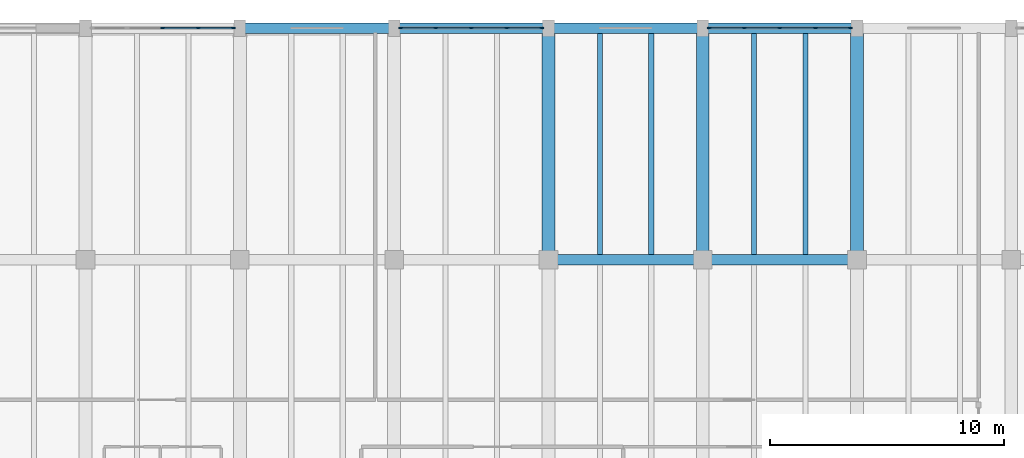
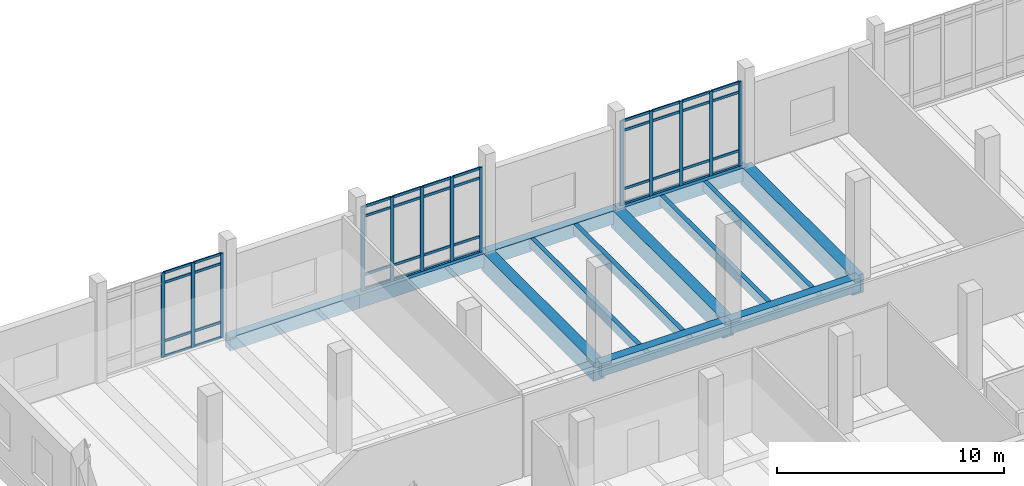
# One storey, part 30 of 72: 53 members, 13 beams, 3 elements without a shape of their own.
"""IFC4 building model written with IfcOpenShell, lengths in metres."""

from ifc_helpers import new_model, si_unit, direction, frame, origin, origin_2d, place, context, subcontext, project, spatial, rectangle, extrude, material, material_profile, profile_set, type_object, element, aggregate, save


model = new_model("IFC4")

# Units and contexts
model_context = context("Model", 3, precision=1e-05, world=origin(), true_north=direction((0.0, 1.0)))
body_context = subcontext(model_context, "Body", "Model", "MODEL_VIEW")
ifc_project = project(units=[si_unit("LENGTHUNIT", "METRE"), si_unit("AREAUNIT", "SQUARE_METRE"), si_unit("VOLUMEUNIT", "CUBIC_METRE"), si_unit("PLANEANGLEUNIT", "RADIAN"), si_unit("MASSUNIT", "GRAM", prefix="KILO")], contexts=[model_context])

# Site, building, storey
site_placement = place(None, origin())
site = spatial("IfcSite", under=ifc_project, at=site_placement, CompositionType="ELEMENT")
building_placement = place(site_placement, origin())
building = spatial("IfcBuilding", under=site, at=building_placement, Name="Dornvale Research Institute", CompositionType="ELEMENT")
storey_placement = place(building_placement, origin())
storey = spatial("IfcBuildingStorey", under=building, at=storey_placement, Name="L00", CompositionType="ELEMENT", Elevation=0.0)

# Beams
ifc_material_1 = material(Name="Concrete f'c 45 MPa (C35/45)", Category="concrete")
ifc_material_profile_1 = material_profile(ifc_material_1, rectangle(XDim=0.449951171875, YDim=0.715087890625, at=origin_2d()), Name="RC 450x715")
ifc_profile_set_1 = profile_set([ifc_material_profile_1], Name="Concrete f'c 45 MPa (C35/45)")
beam_type_1 = type_object("IfcBeamType", Name="Beam_RC450x715_Lab", PredefinedType="BEAM", material=ifc_profile_set_1)
beam_1_placement = place(storey_placement, frame((145.199951171875, 112.199951171875, -0.357421875), z_axis=(1.0, 0.0, 0.0), x_axis=(0.0, 1.0, 0.0)))
element("IfcBeam", 1, at=beam_1_placement, inside=storey, type_object=beam_type_1, Name="L00 primary girder #90", PredefinedType="BEAM", context=body_context, shape_type="SweptSolid", body=[
    extrude(rectangle(XDim=0.449951171875, YDim=0.715087890625, at=origin_2d()), origin(), (0.0, 0.0, 1.0), 6.60009765625),
])
beam_2_placement = place(storey_placement, frame((151.800048828125, 112.199951171875, -0.357421875), z_axis=(1.0, 0.0, 0.0), x_axis=(0.0, 1.0, 0.0)))
element("IfcBeam", 2, at=beam_2_placement, inside=storey, type_object=beam_type_1, Name="L00 primary girder #91", PredefinedType="BEAM", context=body_context, shape_type="SweptSolid", body=[
    extrude(rectangle(XDim=0.449951171875, YDim=0.715087890625, at=origin_2d()), origin(), (0.0, 0.0, 1.0), 6.599853515625),
])
beam_3_placement = place(storey_placement, frame((132.0, 122.10009765625, -0.357421875), z_axis=(1.0, 0.0, 0.0), x_axis=(0.0, 1.0, 0.0)))
element("IfcBeam", 3, at=beam_3_placement, inside=storey, type_object=beam_type_1, Name="L00 primary girder #97", PredefinedType="BEAM", context=body_context, shape_type="SweptSolid", body=[
    extrude(rectangle(XDim=0.449951171875, YDim=0.715087890625, at=origin_2d()), origin(), (0.0, 0.0, 1.0), 6.60009765625),
])
beam_4_placement = place(storey_placement, frame((138.60009765625, 122.10009765625, -0.357421875), z_axis=(1.0, 0.0, 0.0), x_axis=(0.0, 1.0, 0.0)))
element("IfcBeam", 4, at=beam_4_placement, inside=storey, type_object=beam_type_1, Name="L00 primary girder #98", PredefinedType="BEAM", context=body_context, shape_type="SweptSolid", body=[
    extrude(rectangle(XDim=0.449951171875, YDim=0.715087890625, at=origin_2d()), origin(), (0.0, 0.0, 1.0), 6.599853515625),
])
beam_5_placement = place(storey_placement, frame((145.199951171875, 122.10009765625, -0.357421875), z_axis=(1.0, 0.0, 0.0), x_axis=(0.0, 1.0, 0.0)))
element("IfcBeam", 5, at=beam_5_placement, inside=storey, type_object=beam_type_1, Name="L00 primary girder #99", PredefinedType="BEAM", context=body_context, shape_type="SweptSolid", body=[
    extrude(rectangle(XDim=0.449951171875, YDim=0.715087890625, at=origin_2d()), origin(), (0.0, 0.0, 1.0), 6.60009765625),
])
beam_6_placement = place(storey_placement, frame((151.800048828125, 122.10009765625, -0.357421875), z_axis=(1.0, 0.0, 0.0), x_axis=(0.0, 1.0, 0.0)))
element("IfcBeam", 6, at=beam_6_placement, inside=storey, type_object=beam_type_1, Name="L00 primary girder #100", PredefinedType="BEAM", context=body_context, shape_type="SweptSolid", body=[
    extrude(rectangle(XDim=0.449951171875, YDim=0.715087890625, at=origin_2d()), origin(), (0.0, 0.0, 1.0), 6.599853515625),
])
ifc_material_2 = material(Name="Concrete f'c 45 MPa (C35/45)", Category="concrete")
ifc_material_profile_2 = material_profile(ifc_material_2, rectangle(XDim=0.550048828125, YDim=1.0, at=origin_2d()), Name="RC 550x1000")
ifc_profile_set_2 = profile_set([ifc_material_profile_2], Name="Concrete f'c 45 MPa (C35/45)")
beam_type_2 = type_object("IfcBeamType", Name="Beam_RC550x1000_Girder", PredefinedType="BEAM", material=ifc_profile_set_2)
for number, where, z_axis, x_axis, name in (
    (7, (145.199951171875, 112.199951171875, -0.5), (0.0, 1.0, 0.0), (-1.0, 0.0, 0.0), "L00 transverse girder #117"),
    (8, (151.800048828125, 112.199951171875, -0.5), (0.0, 1.0, 0.0), (-1.0, 0.0, 0.0), "L00 transverse girder #120"),
    (9, (158.39990234375, 112.199951171875, -0.5), (0.0, 1.0, 0.0), (-1.0, 0.0, 0.0), "L00 transverse girder #122"),
):
    element("IfcBeam", number, at=place(storey_placement, frame(where, z_axis=z_axis, x_axis=x_axis)), inside=storey, type_object=beam_type_2, Name=name, PredefinedType="BEAM", context=body_context, shape_type="SweptSolid", body=[
        extrude(rectangle(XDim=0.550048828125, YDim=1.0, at=origin_2d()), origin(), (0.0, 0.0, 1.0), 9.900146484375),
    ])
ifc_material_3 = material(Name="Concrete f'c 45 MPa (C35/45)", Category="concrete")
ifc_material_profile_3 = material_profile(ifc_material_3, rectangle(XDim=0.219970703125, YDim=0.534912109375, at=origin_2d()), Name="RC 220x535")
ifc_profile_set_3 = profile_set([ifc_material_profile_3], Name="Concrete f'c 45 MPa (C35/45)")
beam_type_3 = type_object("IfcBeamType", Name="Joist_RC220x535_Waffle", PredefinedType="JOIST", material=ifc_profile_set_3)
for number, where, z_axis, x_axis, name in (
    (10, (147.39990234375, 112.425048828125, -0.267578125), (0.0, 1.0, 0.0), (-1.0, 0.0, 0.0), "L00 laboratory waffle joist #60"),
    (11, (149.60009765625, 112.425048828125, -0.267578125), (0.0, 1.0, 0.0), (-1.0, 0.0, 0.0), "L00 laboratory waffle joist #61"),
    (12, (154.0, 112.425048828125, -0.267578125), (0.0, 1.0, 0.0), (-1.0, 0.0, 0.0), "L00 laboratory waffle joist #64"),
    (13, (156.199951171875, 112.425048828125, -0.267578125), (0.0, 1.0, 0.0), (-1.0, 0.0, 0.0), "L00 laboratory waffle joist #65"),
):
    element("IfcBeam", number, at=place(storey_placement, frame(where, z_axis=z_axis, x_axis=x_axis)), inside=storey, type_object=beam_type_3, Name=name, PredefinedType="JOIST", context=body_context, shape_type="SweptSolid", body=[
        extrude(rectangle(XDim=0.219970703125, YDim=0.534912109375, at=origin_2d()), origin(), (0.0, 0.0, 1.0), 9.449951171875),
    ])

# Curtain wall, members
ifc_material_4 = material(Name="Low-E Argon Double Insulating Glazing Unit", Category="glass")
curtain_wall_type = type_object("IfcCurtainWallType", Name="UnitisedCurtainWall_V4_6100x4550", PredefinedType="USERDEFINED", material=ifc_material_4)
curtain_wall_1_placement = place(storey_placement, origin())
curtain_wall_1 = element("IfcCurtainWall", 14, at=curtain_wall_1_placement, inside=storey, type_object=curtain_wall_type, Name="L00 V4 unitised curtain wall CW-08 #66", ObjectType="UNITISED CURTAIN WALL", PredefinedType="USERDEFINED")
ifc_material_5 = material(Name="Anodized Aluminum AA 6063-T6 Thermally Broken Frame", Category="aluminium")
ifc_material_profile_4 = material_profile(ifc_material_5, rectangle(XDim=0.06494140625, YDim=0.179931640625, at=origin_2d()), Name="ALU MULLION 65x180")
ifc_profile_set_4 = profile_set([ifc_material_profile_4], Name="Anodized Aluminum AA 6063-T6 Thermally Broken Frame")
member_type_1 = type_object("IfcMemberType", Name="Mullion_CW_65x180", PredefinedType="MULLION", material=ifc_profile_set_4)
member_1_placement = place(storey_placement, frame((128.699951171875, 122.10009765625, 0.0), z_axis=(0.0, 0.0, 1.0), x_axis=(0.0, 1.0, 0.0)))
member_1 = element("IfcMember", 15, at=member_1_placement, type_object=member_type_1, Name="CW-08 mullion 3", PredefinedType="MULLION", context=body_context, shape_type="SweptSolid", body=[
    extrude(rectangle(XDim=0.06494140625, YDim=0.179931640625, at=origin_2d()), origin(), (0.0, 0.0, 1.0), 4.550048828125),
])
member_2_placement = place(storey_placement, frame((130.22509765625, 122.10009765625, 0.0), z_axis=(0.0, 0.0, 1.0), x_axis=(0.0, 1.0, 0.0)))
member_2 = element("IfcMember", 16, at=member_2_placement, type_object=member_type_1, Name="CW-08 mullion 4", PredefinedType="MULLION", context=body_context, shape_type="SweptSolid", body=[
    extrude(rectangle(XDim=0.06494140625, YDim=0.179931640625, at=origin_2d()), origin(), (0.0, 0.0, 1.0), 4.550048828125),
])
member_3_placement = place(storey_placement, frame((131.717529296875, 122.10009765625, 0.0), z_axis=(0.0, 0.0, 1.0), x_axis=(0.0, 1.0, 0.0)))
member_3 = element("IfcMember", 17, at=member_3_placement, type_object=member_type_1, Name="CW-08 mullion 5", PredefinedType="MULLION", context=body_context, shape_type="SweptSolid", body=[
    extrude(rectangle(XDim=0.06494140625, YDim=0.179931640625, at=origin_2d()), origin(), (0.0, 0.0, 1.0), 4.550048828125),
])

curtain_wall_2_placement = place(storey_placement, origin())
curtain_wall_2 = element("IfcCurtainWall", 18, at=curtain_wall_2_placement, inside=storey, type_object=curtain_wall_type, Name="L00 V4 unitised curtain wall CW-08 #67", ObjectType="UNITISED CURTAIN WALL", PredefinedType="USERDEFINED")
member_4_placement = place(storey_placement, frame((138.882568359375, 122.10009765625, 0.0), z_axis=(0.0, 0.0, 1.0), x_axis=(0.0, 1.0, 0.0)))
member_4 = element("IfcMember", 19, at=member_4_placement, type_object=member_type_1, Name="CW-08 mullion 1", PredefinedType="MULLION", context=body_context, shape_type="SweptSolid", body=[
    extrude(rectangle(XDim=0.06494140625, YDim=0.179931640625, at=origin_2d()), origin(), (0.0, 0.0, 1.0), 4.550048828125),
])
member_5_placement = place(storey_placement, frame((140.375, 122.10009765625, 0.0), z_axis=(0.0, 0.0, 1.0), x_axis=(0.0, 1.0, 0.0)))
member_5 = element("IfcMember", 20, at=member_5_placement, type_object=member_type_1, Name="CW-08 mullion 2", PredefinedType="MULLION", context=body_context, shape_type="SweptSolid", body=[
    extrude(rectangle(XDim=0.06494140625, YDim=0.179931640625, at=origin_2d()), origin(), (0.0, 0.0, 1.0), 4.550048828125),
])
member_6_placement = place(storey_placement, frame((141.89990234375, 122.10009765625, 0.0), z_axis=(0.0, 0.0, 1.0), x_axis=(0.0, 1.0, 0.0)))
member_6 = element("IfcMember", 21, at=member_6_placement, type_object=member_type_1, Name="CW-08 mullion 3", PredefinedType="MULLION", context=body_context, shape_type="SweptSolid", body=[
    extrude(rectangle(XDim=0.06494140625, YDim=0.179931640625, at=origin_2d()), origin(), (0.0, 0.0, 1.0), 4.550048828125),
])
member_7_placement = place(storey_placement, frame((143.425048828125, 122.10009765625, 0.0), z_axis=(0.0, 0.0, 1.0), x_axis=(0.0, 1.0, 0.0)))
member_7 = element("IfcMember", 22, at=member_7_placement, type_object=member_type_1, Name="CW-08 mullion 4", PredefinedType="MULLION", context=body_context, shape_type="SweptSolid", body=[
    extrude(rectangle(XDim=0.06494140625, YDim=0.179931640625, at=origin_2d()), origin(), (0.0, 0.0, 1.0), 4.550048828125),
])
member_8_placement = place(storey_placement, frame((144.91748046875, 122.10009765625, 0.0), z_axis=(0.0, 0.0, 1.0), x_axis=(0.0, 1.0, 0.0)))
member_8 = element("IfcMember", 23, at=member_8_placement, type_object=member_type_1, Name="CW-08 mullion 5", PredefinedType="MULLION", context=body_context, shape_type="SweptSolid", body=[
    extrude(rectangle(XDim=0.06494140625, YDim=0.179931640625, at=origin_2d()), origin(), (0.0, 0.0, 1.0), 4.550048828125),
])

curtain_wall_3_placement = place(storey_placement, origin())
curtain_wall_3 = element("IfcCurtainWall", 24, at=curtain_wall_3_placement, inside=storey, type_object=curtain_wall_type, Name="L00 V4 unitised curtain wall CW-08 #68", ObjectType="UNITISED CURTAIN WALL", PredefinedType="USERDEFINED")
member_9_placement = place(storey_placement, frame((152.08251953125, 122.10009765625, 0.0), z_axis=(0.0, 0.0, 1.0), x_axis=(0.0, 1.0, 0.0)))
member_9 = element("IfcMember", 25, at=member_9_placement, type_object=member_type_1, Name="CW-08 mullion 1", PredefinedType="MULLION", context=body_context, shape_type="SweptSolid", body=[
    extrude(rectangle(XDim=0.06494140625, YDim=0.179931640625, at=origin_2d()), origin(), (0.0, 0.0, 1.0), 4.550048828125),
])
member_10_placement = place(storey_placement, frame((153.574951171875, 122.10009765625, 0.0), z_axis=(0.0, 0.0, 1.0), x_axis=(0.0, 1.0, 0.0)))
member_10 = element("IfcMember", 26, at=member_10_placement, type_object=member_type_1, Name="CW-08 mullion 2", PredefinedType="MULLION", context=body_context, shape_type="SweptSolid", body=[
    extrude(rectangle(XDim=0.06494140625, YDim=0.179931640625, at=origin_2d()), origin(), (0.0, 0.0, 1.0), 4.550048828125),
])
member_11_placement = place(storey_placement, frame((155.10009765625, 122.10009765625, 0.0), z_axis=(0.0, 0.0, 1.0), x_axis=(0.0, 1.0, 0.0)))
member_11 = element("IfcMember", 27, at=member_11_placement, type_object=member_type_1, Name="CW-08 mullion 3", PredefinedType="MULLION", context=body_context, shape_type="SweptSolid", body=[
    extrude(rectangle(XDim=0.06494140625, YDim=0.179931640625, at=origin_2d()), origin(), (0.0, 0.0, 1.0), 4.550048828125),
])
member_12_placement = place(storey_placement, frame((156.625, 122.10009765625, 0.0), z_axis=(0.0, 0.0, 1.0), x_axis=(0.0, 1.0, 0.0)))
member_12 = element("IfcMember", 28, at=member_12_placement, type_object=member_type_1, Name="CW-08 mullion 4", PredefinedType="MULLION", context=body_context, shape_type="SweptSolid", body=[
    extrude(rectangle(XDim=0.06494140625, YDim=0.179931640625, at=origin_2d()), origin(), (0.0, 0.0, 1.0), 4.550048828125),
])
member_13_placement = place(storey_placement, frame((158.117431640625, 122.10009765625, 0.0), z_axis=(0.0, 0.0, 1.0), x_axis=(0.0, 1.0, 0.0)))
member_13 = element("IfcMember", 29, at=member_13_placement, type_object=member_type_1, Name="CW-08 mullion 5", PredefinedType="MULLION", context=body_context, shape_type="SweptSolid", body=[
    extrude(rectangle(XDim=0.06494140625, YDim=0.179931640625, at=origin_2d()), origin(), (0.0, 0.0, 1.0), 4.550048828125),
])

# Member
ifc_material_6 = material(Name="Anodized Aluminum AA 6063-T6 Thermally Broken Frame", Category="aluminium")
ifc_material_profile_5 = material_profile(ifc_material_6, rectangle(XDim=0.06494140625, YDim=0.135009765625, at=origin_2d()), Name="ALU TRANSOM 65x135")
ifc_profile_set_5 = profile_set([ifc_material_profile_5], Name="Anodized Aluminum AA 6063-T6 Thermally Broken Frame")
member_type_2 = type_object("IfcMemberType", Name="Transom_CW_65x135", PredefinedType="USERDEFINED", material=ifc_profile_set_5)
member_14_placement = place(storey_placement, frame((128.732421875, 122.10009765625, 0.032470703125), z_axis=(1.0, 0.0, 0.0), x_axis=(0.0, 1.0, 0.0)))
member_14 = element("IfcMember", 30, at=member_14_placement, type_object=member_type_2, Name="CW-08 transom 3.1", ObjectType="TRANSOM", PredefinedType="USERDEFINED", context=body_context, shape_type="SweptSolid", body=[
    extrude(rectangle(XDim=0.06494140625, YDim=0.135009765625, at=origin_2d()), origin(), (0.0, 0.0, 1.0), 1.4599609375),
])

member_15_placement = place(storey_placement, frame((128.732421875, 122.10009765625, 0.85009765625), z_axis=(1.0, 0.0, 0.0), x_axis=(0.0, 1.0, 0.0)))
member_15 = element("IfcMember", 31, at=member_15_placement, type_object=member_type_2, Name="CW-08 transom 3.2", ObjectType="TRANSOM", PredefinedType="USERDEFINED", context=body_context, shape_type="SweptSolid", body=[
    extrude(rectangle(XDim=0.06494140625, YDim=0.135009765625, at=origin_2d()), origin(), (0.0, 0.0, 1.0), 1.4599609375),
])

member_16_placement = place(storey_placement, frame((128.732421875, 122.10009765625, 4.0), z_axis=(1.0, 0.0, 0.0), x_axis=(0.0, 1.0, 0.0)))
member_16 = element("IfcMember", 32, at=member_16_placement, type_object=member_type_2, Name="CW-08 transom 3.3", ObjectType="TRANSOM", PredefinedType="USERDEFINED", context=body_context, shape_type="SweptSolid", body=[
    extrude(rectangle(XDim=0.06494140625, YDim=0.135009765625, at=origin_2d()), origin(), (0.0, 0.0, 1.0), 1.4599609375),
])

member_17_placement = place(storey_placement, frame((128.732421875, 122.10009765625, 4.517578125), z_axis=(1.0, 0.0, 0.0), x_axis=(0.0, 1.0, 0.0)))
member_17 = element("IfcMember", 33, at=member_17_placement, type_object=member_type_2, Name="CW-08 transom 3.4", ObjectType="TRANSOM", PredefinedType="USERDEFINED", context=body_context, shape_type="SweptSolid", body=[
    extrude(rectangle(XDim=0.06494140625, YDim=0.135009765625, at=origin_2d()), origin(), (0.0, 0.0, 1.0), 1.4599609375),
])

member_18_placement = place(storey_placement, frame((130.257568359375, 122.10009765625, 0.032470703125), z_axis=(1.0, 0.0, 0.0), x_axis=(0.0, 1.0, 0.0)))
member_18 = element("IfcMember", 34, at=member_18_placement, type_object=member_type_2, Name="CW-08 transom 4.1", ObjectType="TRANSOM", PredefinedType="USERDEFINED", context=body_context, shape_type="SweptSolid", body=[
    extrude(rectangle(XDim=0.06494140625, YDim=0.135009765625, at=origin_2d()), origin(), (0.0, 0.0, 1.0), 1.427490234375),
])

member_19_placement = place(storey_placement, frame((130.257568359375, 122.10009765625, 0.85009765625), z_axis=(1.0, 0.0, 0.0), x_axis=(0.0, 1.0, 0.0)))
member_19 = element("IfcMember", 35, at=member_19_placement, type_object=member_type_2, Name="CW-08 transom 4.2", ObjectType="TRANSOM", PredefinedType="USERDEFINED", context=body_context, shape_type="SweptSolid", body=[
    extrude(rectangle(XDim=0.06494140625, YDim=0.135009765625, at=origin_2d()), origin(), (0.0, 0.0, 1.0), 1.427490234375),
])

member_20_placement = place(storey_placement, frame((130.257568359375, 122.10009765625, 4.0), z_axis=(1.0, 0.0, 0.0), x_axis=(0.0, 1.0, 0.0)))
member_20 = element("IfcMember", 36, at=member_20_placement, type_object=member_type_2, Name="CW-08 transom 4.3", ObjectType="TRANSOM", PredefinedType="USERDEFINED", context=body_context, shape_type="SweptSolid", body=[
    extrude(rectangle(XDim=0.06494140625, YDim=0.135009765625, at=origin_2d()), origin(), (0.0, 0.0, 1.0), 1.427490234375),
])

member_21_placement = place(storey_placement, frame((130.257568359375, 122.10009765625, 4.517578125), z_axis=(1.0, 0.0, 0.0), x_axis=(0.0, 1.0, 0.0)))
member_21 = element("IfcMember", 37, at=member_21_placement, type_object=member_type_2, Name="CW-08 transom 4.4", ObjectType="TRANSOM", PredefinedType="USERDEFINED", context=body_context, shape_type="SweptSolid", body=[
    extrude(rectangle(XDim=0.06494140625, YDim=0.135009765625, at=origin_2d()), origin(), (0.0, 0.0, 1.0), 1.427490234375),
])

aggregate(curtain_wall_1, [member_1, member_2, member_3, member_14, member_15, member_16, member_17, member_18, member_19, member_20, member_21])

member_22_placement = place(storey_placement, frame((138.9150390625, 122.10009765625, 0.032470703125), z_axis=(1.0, 0.0, 0.0), x_axis=(0.0, 1.0, 0.0)))
member_22 = element("IfcMember", 38, at=member_22_placement, type_object=member_type_2, Name="CW-08 transom 1.1", ObjectType="TRANSOM", PredefinedType="USERDEFINED", context=body_context, shape_type="SweptSolid", body=[
    extrude(rectangle(XDim=0.06494140625, YDim=0.135009765625, at=origin_2d()), origin(), (0.0, 0.0, 1.0), 1.427490234375),
])

member_23_placement = place(storey_placement, frame((138.9150390625, 122.10009765625, 0.85009765625), z_axis=(1.0, 0.0, 0.0), x_axis=(0.0, 1.0, 0.0)))
member_23 = element("IfcMember", 39, at=member_23_placement, type_object=member_type_2, Name="CW-08 transom 1.2", ObjectType="TRANSOM", PredefinedType="USERDEFINED", context=body_context, shape_type="SweptSolid", body=[
    extrude(rectangle(XDim=0.06494140625, YDim=0.135009765625, at=origin_2d()), origin(), (0.0, 0.0, 1.0), 1.427490234375),
])

member_24_placement = place(storey_placement, frame((138.9150390625, 122.10009765625, 4.0), z_axis=(1.0, 0.0, 0.0), x_axis=(0.0, 1.0, 0.0)))
member_24 = element("IfcMember", 40, at=member_24_placement, type_object=member_type_2, Name="CW-08 transom 1.3", ObjectType="TRANSOM", PredefinedType="USERDEFINED", context=body_context, shape_type="SweptSolid", body=[
    extrude(rectangle(XDim=0.06494140625, YDim=0.135009765625, at=origin_2d()), origin(), (0.0, 0.0, 1.0), 1.427490234375),
])

member_25_placement = place(storey_placement, frame((138.9150390625, 122.10009765625, 4.517578125), z_axis=(1.0, 0.0, 0.0), x_axis=(0.0, 1.0, 0.0)))
member_25 = element("IfcMember", 41, at=member_25_placement, type_object=member_type_2, Name="CW-08 transom 1.4", ObjectType="TRANSOM", PredefinedType="USERDEFINED", context=body_context, shape_type="SweptSolid", body=[
    extrude(rectangle(XDim=0.06494140625, YDim=0.135009765625, at=origin_2d()), origin(), (0.0, 0.0, 1.0), 1.427490234375),
])

member_26_placement = place(storey_placement, frame((140.407470703125, 122.10009765625, 0.032470703125), z_axis=(1.0, 0.0, 0.0), x_axis=(0.0, 1.0, 0.0)))
member_26 = element("IfcMember", 42, at=member_26_placement, type_object=member_type_2, Name="CW-08 transom 2.1", ObjectType="TRANSOM", PredefinedType="USERDEFINED", context=body_context, shape_type="SweptSolid", body=[
    extrude(rectangle(XDim=0.06494140625, YDim=0.135009765625, at=origin_2d()), origin(), (0.0, 0.0, 1.0), 1.4599609375),
])

member_27_placement = place(storey_placement, frame((140.407470703125, 122.10009765625, 0.85009765625), z_axis=(1.0, 0.0, 0.0), x_axis=(0.0, 1.0, 0.0)))
member_27 = element("IfcMember", 43, at=member_27_placement, type_object=member_type_2, Name="CW-08 transom 2.2", ObjectType="TRANSOM", PredefinedType="USERDEFINED", context=body_context, shape_type="SweptSolid", body=[
    extrude(rectangle(XDim=0.06494140625, YDim=0.135009765625, at=origin_2d()), origin(), (0.0, 0.0, 1.0), 1.4599609375),
])

member_28_placement = place(storey_placement, frame((140.407470703125, 122.10009765625, 4.0), z_axis=(1.0, 0.0, 0.0), x_axis=(0.0, 1.0, 0.0)))
member_28 = element("IfcMember", 44, at=member_28_placement, type_object=member_type_2, Name="CW-08 transom 2.3", ObjectType="TRANSOM", PredefinedType="USERDEFINED", context=body_context, shape_type="SweptSolid", body=[
    extrude(rectangle(XDim=0.06494140625, YDim=0.135009765625, at=origin_2d()), origin(), (0.0, 0.0, 1.0), 1.4599609375),
])

member_29_placement = place(storey_placement, frame((140.407470703125, 122.10009765625, 4.517578125), z_axis=(1.0, 0.0, 0.0), x_axis=(0.0, 1.0, 0.0)))
member_29 = element("IfcMember", 45, at=member_29_placement, type_object=member_type_2, Name="CW-08 transom 2.4", ObjectType="TRANSOM", PredefinedType="USERDEFINED", context=body_context, shape_type="SweptSolid", body=[
    extrude(rectangle(XDim=0.06494140625, YDim=0.135009765625, at=origin_2d()), origin(), (0.0, 0.0, 1.0), 1.4599609375),
])

member_30_placement = place(storey_placement, frame((141.9326171875, 122.10009765625, 0.032470703125), z_axis=(1.0, 0.0, 0.0), x_axis=(0.0, 1.0, 0.0)))
member_30 = element("IfcMember", 46, at=member_30_placement, type_object=member_type_2, Name="CW-08 transom 3.1", ObjectType="TRANSOM", PredefinedType="USERDEFINED", context=body_context, shape_type="SweptSolid", body=[
    extrude(rectangle(XDim=0.06494140625, YDim=0.135009765625, at=origin_2d()), origin(), (0.0, 0.0, 1.0), 1.4599609375),
])

member_31_placement = place(storey_placement, frame((141.9326171875, 122.10009765625, 0.85009765625), z_axis=(1.0, 0.0, 0.0), x_axis=(0.0, 1.0, 0.0)))
member_31 = element("IfcMember", 47, at=member_31_placement, type_object=member_type_2, Name="CW-08 transom 3.2", ObjectType="TRANSOM", PredefinedType="USERDEFINED", context=body_context, shape_type="SweptSolid", body=[
    extrude(rectangle(XDim=0.06494140625, YDim=0.135009765625, at=origin_2d()), origin(), (0.0, 0.0, 1.0), 1.4599609375),
])

member_32_placement = place(storey_placement, frame((141.9326171875, 122.10009765625, 4.0), z_axis=(1.0, 0.0, 0.0), x_axis=(0.0, 1.0, 0.0)))
member_32 = element("IfcMember", 48, at=member_32_placement, type_object=member_type_2, Name="CW-08 transom 3.3", ObjectType="TRANSOM", PredefinedType="USERDEFINED", context=body_context, shape_type="SweptSolid", body=[
    extrude(rectangle(XDim=0.06494140625, YDim=0.135009765625, at=origin_2d()), origin(), (0.0, 0.0, 1.0), 1.4599609375),
])

member_33_placement = place(storey_placement, frame((141.9326171875, 122.10009765625, 4.517578125), z_axis=(1.0, 0.0, 0.0), x_axis=(0.0, 1.0, 0.0)))
member_33 = element("IfcMember", 49, at=member_33_placement, type_object=member_type_2, Name="CW-08 transom 3.4", ObjectType="TRANSOM", PredefinedType="USERDEFINED", context=body_context, shape_type="SweptSolid", body=[
    extrude(rectangle(XDim=0.06494140625, YDim=0.135009765625, at=origin_2d()), origin(), (0.0, 0.0, 1.0), 1.4599609375),
])

member_34_placement = place(storey_placement, frame((143.45751953125, 122.10009765625, 0.032470703125), z_axis=(1.0, 0.0, 0.0), x_axis=(0.0, 1.0, 0.0)))
member_34 = element("IfcMember", 50, at=member_34_placement, type_object=member_type_2, Name="CW-08 transom 4.1", ObjectType="TRANSOM", PredefinedType="USERDEFINED", context=body_context, shape_type="SweptSolid", body=[
    extrude(rectangle(XDim=0.06494140625, YDim=0.135009765625, at=origin_2d()), origin(), (0.0, 0.0, 1.0), 1.427490234375),
])

member_35_placement = place(storey_placement, frame((143.45751953125, 122.10009765625, 0.85009765625), z_axis=(1.0, 0.0, 0.0), x_axis=(0.0, 1.0, 0.0)))
member_35 = element("IfcMember", 51, at=member_35_placement, type_object=member_type_2, Name="CW-08 transom 4.2", ObjectType="TRANSOM", PredefinedType="USERDEFINED", context=body_context, shape_type="SweptSolid", body=[
    extrude(rectangle(XDim=0.06494140625, YDim=0.135009765625, at=origin_2d()), origin(), (0.0, 0.0, 1.0), 1.427490234375),
])

member_36_placement = place(storey_placement, frame((143.45751953125, 122.10009765625, 4.0), z_axis=(1.0, 0.0, 0.0), x_axis=(0.0, 1.0, 0.0)))
member_36 = element("IfcMember", 52, at=member_36_placement, type_object=member_type_2, Name="CW-08 transom 4.3", ObjectType="TRANSOM", PredefinedType="USERDEFINED", context=body_context, shape_type="SweptSolid", body=[
    extrude(rectangle(XDim=0.06494140625, YDim=0.135009765625, at=origin_2d()), origin(), (0.0, 0.0, 1.0), 1.427490234375),
])

member_37_placement = place(storey_placement, frame((143.45751953125, 122.10009765625, 4.517578125), z_axis=(1.0, 0.0, 0.0), x_axis=(0.0, 1.0, 0.0)))
member_37 = element("IfcMember", 53, at=member_37_placement, type_object=member_type_2, Name="CW-08 transom 4.4", ObjectType="TRANSOM", PredefinedType="USERDEFINED", context=body_context, shape_type="SweptSolid", body=[
    extrude(rectangle(XDim=0.06494140625, YDim=0.135009765625, at=origin_2d()), origin(), (0.0, 0.0, 1.0), 1.427490234375),
])

aggregate(curtain_wall_2, [member_4, member_5, member_6, member_7, member_8, member_22, member_23, member_24, member_25, member_26, member_27, member_28, member_29, member_30, member_31, member_32, member_33, member_34, member_35, member_36, member_37])

member_38_placement = place(storey_placement, frame((152.114990234375, 122.10009765625, 0.032470703125), z_axis=(1.0, 0.0, 0.0), x_axis=(0.0, 1.0, 0.0)))
member_38 = element("IfcMember", 54, at=member_38_placement, type_object=member_type_2, Name="CW-08 transom 1.1", ObjectType="TRANSOM", PredefinedType="USERDEFINED", context=body_context, shape_type="SweptSolid", body=[
    extrude(rectangle(XDim=0.06494140625, YDim=0.135009765625, at=origin_2d()), origin(), (0.0, 0.0, 1.0), 1.427490234375),
])

member_39_placement = place(storey_placement, frame((152.114990234375, 122.10009765625, 0.85009765625), z_axis=(1.0, 0.0, 0.0), x_axis=(0.0, 1.0, 0.0)))
member_39 = element("IfcMember", 55, at=member_39_placement, type_object=member_type_2, Name="CW-08 transom 1.2", ObjectType="TRANSOM", PredefinedType="USERDEFINED", context=body_context, shape_type="SweptSolid", body=[
    extrude(rectangle(XDim=0.06494140625, YDim=0.135009765625, at=origin_2d()), origin(), (0.0, 0.0, 1.0), 1.427490234375),
])

member_40_placement = place(storey_placement, frame((152.114990234375, 122.10009765625, 4.0), z_axis=(1.0, 0.0, 0.0), x_axis=(0.0, 1.0, 0.0)))
member_40 = element("IfcMember", 56, at=member_40_placement, type_object=member_type_2, Name="CW-08 transom 1.3", ObjectType="TRANSOM", PredefinedType="USERDEFINED", context=body_context, shape_type="SweptSolid", body=[
    extrude(rectangle(XDim=0.06494140625, YDim=0.135009765625, at=origin_2d()), origin(), (0.0, 0.0, 1.0), 1.427490234375),
])

member_41_placement = place(storey_placement, frame((152.114990234375, 122.10009765625, 4.517578125), z_axis=(1.0, 0.0, 0.0), x_axis=(0.0, 1.0, 0.0)))
member_41 = element("IfcMember", 57, at=member_41_placement, type_object=member_type_2, Name="CW-08 transom 1.4", ObjectType="TRANSOM", PredefinedType="USERDEFINED", context=body_context, shape_type="SweptSolid", body=[
    extrude(rectangle(XDim=0.06494140625, YDim=0.135009765625, at=origin_2d()), origin(), (0.0, 0.0, 1.0), 1.427490234375),
])

member_42_placement = place(storey_placement, frame((153.607421875, 122.10009765625, 0.032470703125), z_axis=(1.0, 0.0, 0.0), x_axis=(0.0, 1.0, 0.0)))
member_42 = element("IfcMember", 58, at=member_42_placement, type_object=member_type_2, Name="CW-08 transom 2.1", ObjectType="TRANSOM", PredefinedType="USERDEFINED", context=body_context, shape_type="SweptSolid", body=[
    extrude(rectangle(XDim=0.06494140625, YDim=0.135009765625, at=origin_2d()), origin(), (0.0, 0.0, 1.0), 1.4599609375),
])

member_43_placement = place(storey_placement, frame((153.607421875, 122.10009765625, 0.85009765625), z_axis=(1.0, 0.0, 0.0), x_axis=(0.0, 1.0, 0.0)))
member_43 = element("IfcMember", 59, at=member_43_placement, type_object=member_type_2, Name="CW-08 transom 2.2", ObjectType="TRANSOM", PredefinedType="USERDEFINED", context=body_context, shape_type="SweptSolid", body=[
    extrude(rectangle(XDim=0.06494140625, YDim=0.135009765625, at=origin_2d()), origin(), (0.0, 0.0, 1.0), 1.4599609375),
])

member_44_placement = place(storey_placement, frame((153.607421875, 122.10009765625, 4.0), z_axis=(1.0, 0.0, 0.0), x_axis=(0.0, 1.0, 0.0)))
member_44 = element("IfcMember", 60, at=member_44_placement, type_object=member_type_2, Name="CW-08 transom 2.3", ObjectType="TRANSOM", PredefinedType="USERDEFINED", context=body_context, shape_type="SweptSolid", body=[
    extrude(rectangle(XDim=0.06494140625, YDim=0.135009765625, at=origin_2d()), origin(), (0.0, 0.0, 1.0), 1.4599609375),
])

member_45_placement = place(storey_placement, frame((153.607421875, 122.10009765625, 4.517578125), z_axis=(1.0, 0.0, 0.0), x_axis=(0.0, 1.0, 0.0)))
member_45 = element("IfcMember", 61, at=member_45_placement, type_object=member_type_2, Name="CW-08 transom 2.4", ObjectType="TRANSOM", PredefinedType="USERDEFINED", context=body_context, shape_type="SweptSolid", body=[
    extrude(rectangle(XDim=0.06494140625, YDim=0.135009765625, at=origin_2d()), origin(), (0.0, 0.0, 1.0), 1.4599609375),
])

member_46_placement = place(storey_placement, frame((155.132568359375, 122.10009765625, 0.032470703125), z_axis=(1.0, 0.0, 0.0), x_axis=(0.0, 1.0, 0.0)))
member_46 = element("IfcMember", 62, at=member_46_placement, type_object=member_type_2, Name="CW-08 transom 3.1", ObjectType="TRANSOM", PredefinedType="USERDEFINED", context=body_context, shape_type="SweptSolid", body=[
    extrude(rectangle(XDim=0.06494140625, YDim=0.135009765625, at=origin_2d()), origin(), (0.0, 0.0, 1.0), 1.4599609375),
])

member_47_placement = place(storey_placement, frame((155.132568359375, 122.10009765625, 0.85009765625), z_axis=(1.0, 0.0, 0.0), x_axis=(0.0, 1.0, 0.0)))
member_47 = element("IfcMember", 63, at=member_47_placement, type_object=member_type_2, Name="CW-08 transom 3.2", ObjectType="TRANSOM", PredefinedType="USERDEFINED", context=body_context, shape_type="SweptSolid", body=[
    extrude(rectangle(XDim=0.06494140625, YDim=0.135009765625, at=origin_2d()), origin(), (0.0, 0.0, 1.0), 1.4599609375),
])

member_48_placement = place(storey_placement, frame((155.132568359375, 122.10009765625, 4.0), z_axis=(1.0, 0.0, 0.0), x_axis=(0.0, 1.0, 0.0)))
member_48 = element("IfcMember", 64, at=member_48_placement, type_object=member_type_2, Name="CW-08 transom 3.3", ObjectType="TRANSOM", PredefinedType="USERDEFINED", context=body_context, shape_type="SweptSolid", body=[
    extrude(rectangle(XDim=0.06494140625, YDim=0.135009765625, at=origin_2d()), origin(), (0.0, 0.0, 1.0), 1.4599609375),
])

member_49_placement = place(storey_placement, frame((155.132568359375, 122.10009765625, 4.517578125), z_axis=(1.0, 0.0, 0.0), x_axis=(0.0, 1.0, 0.0)))
member_49 = element("IfcMember", 65, at=member_49_placement, type_object=member_type_2, Name="CW-08 transom 3.4", ObjectType="TRANSOM", PredefinedType="USERDEFINED", context=body_context, shape_type="SweptSolid", body=[
    extrude(rectangle(XDim=0.06494140625, YDim=0.135009765625, at=origin_2d()), origin(), (0.0, 0.0, 1.0), 1.4599609375),
])

member_50_placement = place(storey_placement, frame((156.657470703125, 122.10009765625, 0.032470703125), z_axis=(1.0, 0.0, 0.0), x_axis=(0.0, 1.0, 0.0)))
member_50 = element("IfcMember", 66, at=member_50_placement, type_object=member_type_2, Name="CW-08 transom 4.1", ObjectType="TRANSOM", PredefinedType="USERDEFINED", context=body_context, shape_type="SweptSolid", body=[
    extrude(rectangle(XDim=0.06494140625, YDim=0.135009765625, at=origin_2d()), origin(), (0.0, 0.0, 1.0), 1.427490234375),
])

member_51_placement = place(storey_placement, frame((156.657470703125, 122.10009765625, 0.85009765625), z_axis=(1.0, 0.0, 0.0), x_axis=(0.0, 1.0, 0.0)))
member_51 = element("IfcMember", 67, at=member_51_placement, type_object=member_type_2, Name="CW-08 transom 4.2", ObjectType="TRANSOM", PredefinedType="USERDEFINED", context=body_context, shape_type="SweptSolid", body=[
    extrude(rectangle(XDim=0.06494140625, YDim=0.135009765625, at=origin_2d()), origin(), (0.0, 0.0, 1.0), 1.427490234375),
])

member_52_placement = place(storey_placement, frame((156.657470703125, 122.10009765625, 4.0), z_axis=(1.0, 0.0, 0.0), x_axis=(0.0, 1.0, 0.0)))
member_52 = element("IfcMember", 68, at=member_52_placement, type_object=member_type_2, Name="CW-08 transom 4.3", ObjectType="TRANSOM", PredefinedType="USERDEFINED", context=body_context, shape_type="SweptSolid", body=[
    extrude(rectangle(XDim=0.06494140625, YDim=0.135009765625, at=origin_2d()), origin(), (0.0, 0.0, 1.0), 1.427490234375),
])

member_53_placement = place(storey_placement, frame((156.657470703125, 122.10009765625, 4.517578125), z_axis=(1.0, 0.0, 0.0), x_axis=(0.0, 1.0, 0.0)))
member_53 = element("IfcMember", 69, at=member_53_placement, type_object=member_type_2, Name="CW-08 transom 4.4", ObjectType="TRANSOM", PredefinedType="USERDEFINED", context=body_context, shape_type="SweptSolid", body=[
    extrude(rectangle(XDim=0.06494140625, YDim=0.135009765625, at=origin_2d()), origin(), (0.0, 0.0, 1.0), 1.427490234375),
])

aggregate(curtain_wall_3, [member_9, member_10, member_11, member_12, member_13, member_38, member_39, member_40, member_41, member_42, member_43, member_44, member_45, member_46, member_47, member_48, member_49, member_50, member_51, member_52, member_53])

save(model, "model.ifc")
